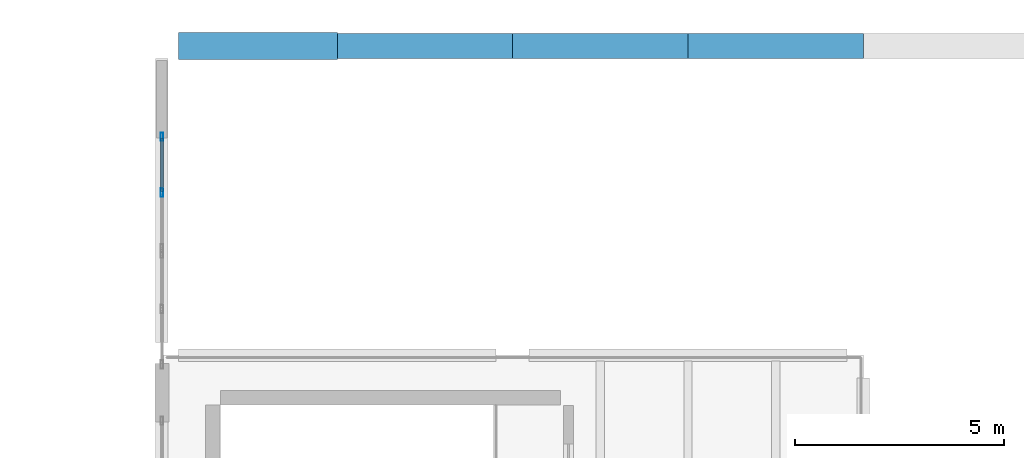
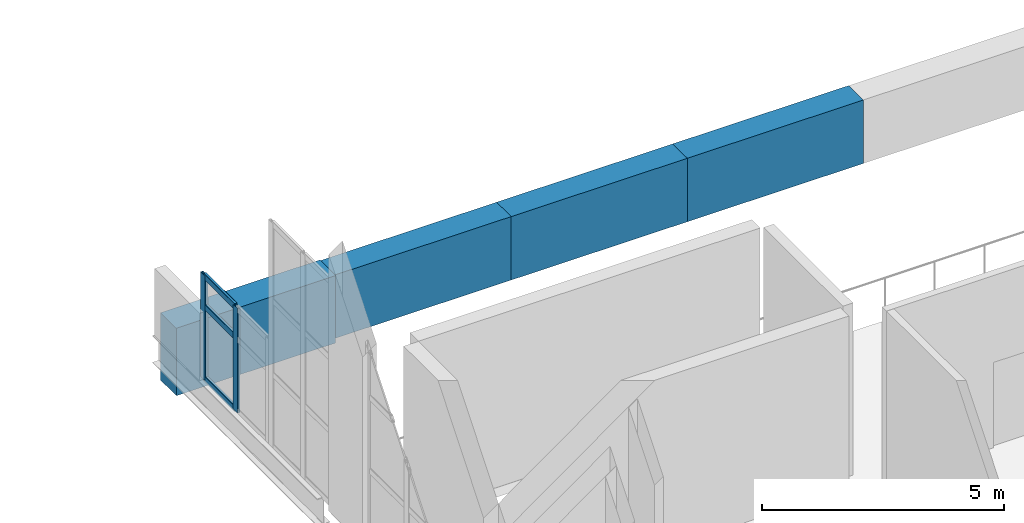
# One storey, part 17 of 37: 5 members, 4 beams, 1 element without a shape of its own.
"""IFC4 building model written with IfcOpenShell, lengths in metres."""

from ifc_helpers import new_model, si_unit, direction, frame, origin, origin_2d, place, context, subcontext, project, spatial, rectangle, hollow_rectangle, extrude, material, material_profile, profile_set, type_object, element, aggregate, save


model = new_model("IFC4")

# Units and contexts
model_context = context("Model", 3, precision=1e-05, world=origin(), true_north=direction((0.0, 1.0)))
body_context = subcontext(model_context, "Body", "Model", "MODEL_VIEW")
ifc_project = project(units=[si_unit("LENGTHUNIT", "METRE"), si_unit("AREAUNIT", "SQUARE_METRE"), si_unit("VOLUMEUNIT", "CUBIC_METRE"), si_unit("PLANEANGLEUNIT", "RADIAN"), si_unit("MASSUNIT", "GRAM", prefix="KILO")], contexts=[model_context])

# Site, building, storey
site_placement = place(None, origin())
site = spatial("IfcSite", under=ifc_project, at=site_placement, CompositionType="ELEMENT")
building_placement = place(site_placement, origin())
building = spatial("IfcBuilding", under=site, at=building_placement, Name="Shengluoqiao Park Theatre", CompositionType="ELEMENT")
storey_placement = place(building_placement, frame((0.0, 0.0, 19.199951171875)))
storey = spatial("IfcBuildingStorey", under=building, at=storey_placement, Name="L04", CompositionType="ELEMENT", Elevation=19.199951171875)

# Curtain wall, members
ifc_material_1 = material(Name="Aluminium 6063-T6", Category="aluminium")
curtain_wall_type = type_object("IfcCurtainWallType", Name="ENV-CW-CLERE", PredefinedType="NOTDEFINED", material=ifc_material_1)
curtain_wall_placement = place(storey_placement, origin())
curtain_wall = element("IfcCurtainWall", 1, at=curtain_wall_placement, inside=storey, type_object=curtain_wall_type, Name="L04 Curtain Wall CW-L04-GABLE-0229", PredefinedType="NOTDEFINED")
ifc_material_profile_1 = material_profile(ifc_material_1, hollow_rectangle(XDim=0.06494140625, YDim=0.199951171875, WallThickness=0.0048828125, InnerFilletRadius=0.0048828125, OuterFilletRadius=0.010009765625, at=origin_2d()), Name="ALU MULLION 200x65x5")
ifc_profile_set_1 = profile_set([ifc_material_profile_1], Name="Aluminium 6063-T6")
member_type_1 = type_object("IfcMemberType", Name="ENV-MUL-200", PredefinedType="MULLION", material=ifc_profile_set_1)
member_1_placement = place(storey_placement, frame((44.39990234375, 110.489990234375, 0.0), z_axis=(0.0, 0.0, 1.0), x_axis=(-1.0, 0.0, 0.0)))
member_1 = element("IfcMember", 2, at=member_1_placement, type_object=member_type_1, Name="CW-06 mullion 2", PredefinedType="MULLION", context=body_context, shape_type="SweptSolid", body=[
    extrude(hollow_rectangle(XDim=0.06494140625, YDim=0.199951171875, WallThickness=0.0048828125, InnerFilletRadius=0.0048828125, OuterFilletRadius=0.010009765625, at=origin_2d()), origin(), (0.0, 0.0, 1.0), 2.638427734375),
])
member_2_placement = place(storey_placement, frame((44.39990234375, 111.827392578125, 0.0), z_axis=(0.0, 0.0, 1.0), x_axis=(-1.0, 0.0, 0.0)))
member_2 = element("IfcMember", 3, at=member_2_placement, type_object=member_type_1, Name="CW-06 mullion 3", PredefinedType="MULLION", context=body_context, shape_type="SweptSolid", body=[
    extrude(hollow_rectangle(XDim=0.06494140625, YDim=0.199951171875, WallThickness=0.0048828125, InnerFilletRadius=0.0048828125, OuterFilletRadius=0.010009765625, at=origin_2d()), origin(), (0.0, 0.0, 1.0), 2.638427734375),
])
ifc_material_profile_2 = material_profile(ifc_material_1, hollow_rectangle(XDim=0.06494140625, YDim=0.14990234375, WallThickness=0.00390625, InnerFilletRadius=0.00390625, OuterFilletRadius=0.008056640625, at=origin_2d()), Name="ALU TRANSOM 150x65x4")
ifc_profile_set_2 = profile_set([ifc_material_profile_2], Name="Aluminium 6063-T6")
member_type_2 = type_object("IfcMemberType", Name="ENV-TRN-150", PredefinedType="USERDEFINED", material=ifc_profile_set_2)
member_3_placement = place(storey_placement, frame((44.39990234375, 110.5224609375, 0.032470703125), z_axis=(0.0, 1.0, 0.0), x_axis=(-1.0, 0.0, 0.0)))
member_3 = element("IfcMember", 4, at=member_3_placement, type_object=member_type_2, Name="CW-06 transom 2.1", ObjectType="TRANSOM", PredefinedType="USERDEFINED", context=body_context, shape_type="SweptSolid", body=[
    extrude(hollow_rectangle(XDim=0.06494140625, YDim=0.14990234375, WallThickness=0.00390625, InnerFilletRadius=0.00390625, OuterFilletRadius=0.008056640625, at=origin_2d()), origin(), (0.0, 0.0, 1.0), 1.2724609375),
])
member_4_placement = place(storey_placement, frame((44.39990234375, 110.5224609375, 1.85009765625), z_axis=(0.0, 1.0, 0.0), x_axis=(-1.0, 0.0, 0.0)))
member_4 = element("IfcMember", 5, at=member_4_placement, type_object=member_type_2, Name="CW-06 transom 2.2", ObjectType="TRANSOM", PredefinedType="USERDEFINED", context=body_context, shape_type="SweptSolid", body=[
    extrude(hollow_rectangle(XDim=0.06494140625, YDim=0.14990234375, WallThickness=0.00390625, InnerFilletRadius=0.00390625, OuterFilletRadius=0.008056640625, at=origin_2d()), origin(), (0.0, 0.0, 1.0), 1.2724609375),
])
member_5_placement = place(storey_placement, frame((44.39990234375, 110.5224609375, 2.60595703125), z_axis=(0.0, 1.0, 0.0), x_axis=(-1.0, 0.0, 0.0)))
member_5 = element("IfcMember", 6, at=member_5_placement, type_object=member_type_2, Name="CW-06 transom 2.3", ObjectType="TRANSOM", PredefinedType="USERDEFINED", context=body_context, shape_type="SweptSolid", body=[
    extrude(hollow_rectangle(XDim=0.06494140625, YDim=0.14990234375, WallThickness=0.00390625, InnerFilletRadius=0.00390625, OuterFilletRadius=0.008056640625, at=origin_2d()), origin(), (0.0, 0.0, 1.0), 1.2724609375),
])
aggregate(curtain_wall, [member_1, member_2, member_3, member_4, member_5])

# Beams
ifc_material_2 = material(Name="Concrete C50", Category="concrete")
ifc_material_profile_3 = material_profile(ifc_material_2, rectangle(XDim=0.60009765625, YDim=1.60009765625, at=origin_2d()), Name="RC EDGE 600x1600")
ifc_profile_set_3 = profile_set([ifc_material_profile_3], Name="Concrete C50")
beam_type_1 = type_object("IfcBeamType", Name="STR-BM-EB-6016", PredefinedType="BEAM", material=ifc_profile_set_3)
for number, where, z_axis, x_axis, name in (
    (7, (48.60009765625, 114.0, -0.800048828125), (1.0, 0.0, 0.0), (0.0, 1.0, 0.0), "Barrel-Shell Form I Edge Beam N-02"),
    (8, (52.800048828125, 114.0, -0.800048828125), (1.0, 0.0, 0.0), (0.0, 1.0, 0.0), "Barrel-Shell Form I Edge Beam N-03"),
    (9, (57.0, 114.0, -0.800048828125), (1.0, 0.0, 0.0), (0.0, 1.0, 0.0), "Barrel-Shell Form I Edge Beam N-04"),
):
    element("IfcBeam", number, at=place(storey_placement, frame(where, z_axis=z_axis, x_axis=x_axis)), inside=storey, type_object=beam_type_1, Name=name, PredefinedType="BEAM", context=body_context, shape_type="SweptSolid", body=[
        extrude(rectangle(XDim=0.60009765625, YDim=1.60009765625, at=origin_2d()), origin(), (0.0, 0.0, 1.0), 4.199951171875),
    ])
ifc_material_profile_4 = material_profile(ifc_material_2, rectangle(XDim=0.64990234375, YDim=1.699951171875, at=origin_2d()), Name="RC EDGE 650x1700")
ifc_profile_set_4 = profile_set([ifc_material_profile_4], Name="Concrete C50")
beam_type_2 = type_object("IfcBeamType", Name="STR-BM-EB-6517", PredefinedType="BEAM", material=ifc_profile_set_4)
beam_placement = place(storey_placement, frame((44.800048828125, 114.0, -0.849853515625), z_axis=(1.0, 0.0, 0.0), x_axis=(0.0, 1.0, 0.0)))
element("IfcBeam", 10, at=beam_placement, inside=storey, type_object=beam_type_2, Name="Barrel-Shell Form I Edge Beam N-01", PredefinedType="BEAM", context=body_context, shape_type="SweptSolid", body=[
    extrude(rectangle(XDim=0.64990234375, YDim=1.699951171875, at=origin_2d()), origin(), (0.0, 0.0, 1.0), 3.800048828125),
])

save(model, "model.ifc")
